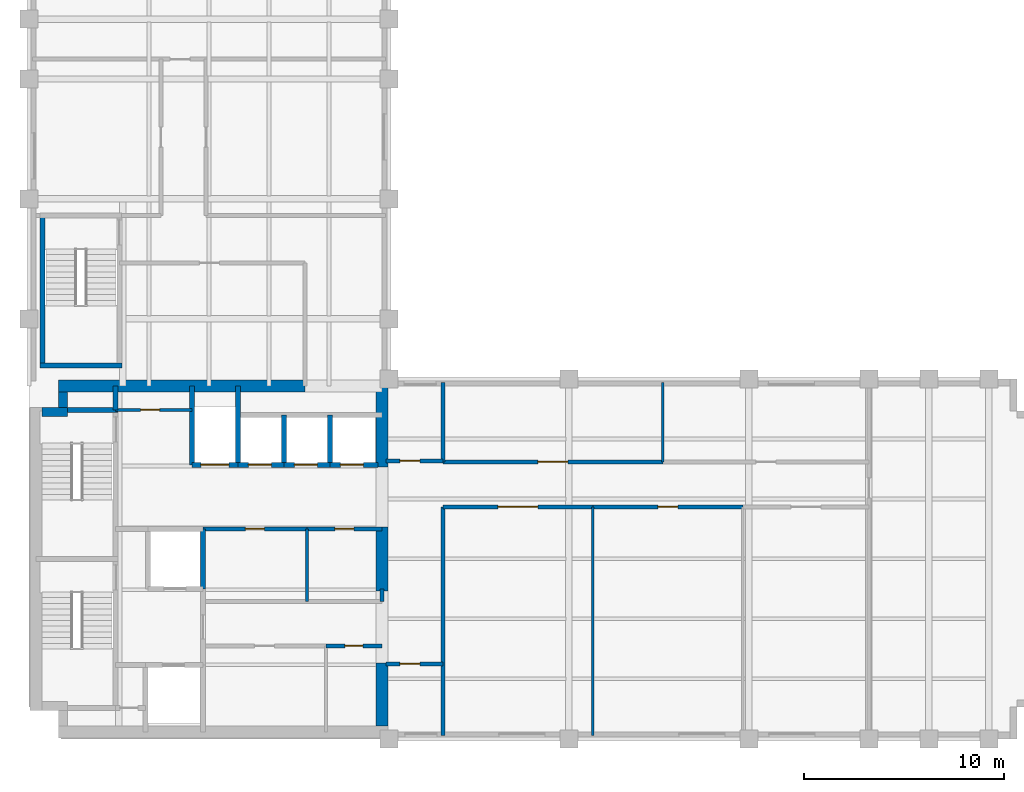
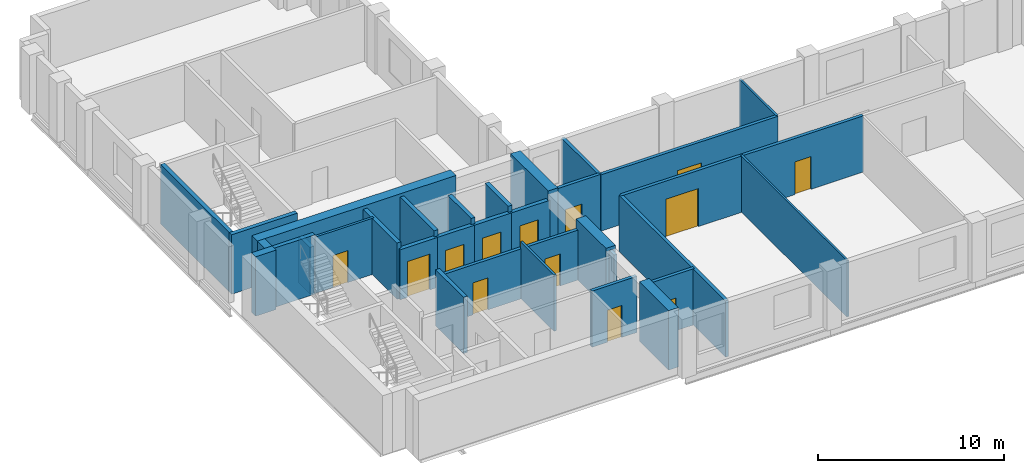
# One storey, part 3 of 6: 34 walls, 13 doors, 13 openings.
"""IFC4 building model written with IfcOpenShell, lengths in metres."""

import ifcopenshell
import ifcopenshell.guid

model = None  # the IFC model being written
_history = None  # IfcOwnerHistory: only IFC2X3 demands one
_inside = {}  # id of a spatial element -> (the spatial element, [elements in it])
_under = {}  # id of a project, library or spatial element -> (it, [spatial elements below it])
_declared = {}  # id of a project -> (the project, [libraries it declares])
_typed = {}  # id of a type object -> (the type object, [elements of that type])
_made_of = {}  # id of a material, layer set ... -> (it, [elements and type objects made of it])


def new_model(schema):
    """Start an empty IFC model of exactly this schema.

    Asked for "IFC4X3", IfcOpenShell would pick the latest addendum, in which some entities
    have other attributes; the version numbers below select the first issue.
    IFC2X3 requires an IfcOwnerHistory on every rooted entity: one is made here for all.
    """
    global model, _history
    if schema == "IFC4X3":
        model = ifcopenshell.file(schema_version=(4, 3, 0, 0))
    else:
        model = ifcopenshell.file(schema=schema)
    _inside.clear()
    _under.clear()
    _declared.clear()
    _typed.clear()
    _made_of.clear()
    _history = None
    if model.schema == "IFC2X3":
        org = make("IfcOrganization", Name="unknown")
        user = make(
            "IfcPersonAndOrganization",
            ThePerson=make("IfcPerson", FamilyName="unknown"),
            TheOrganization=org,
        )
        app = make(
            "IfcApplication",
            ApplicationDeveloper=org,
            Version="unknown",
            ApplicationFullName="unknown",
            ApplicationIdentifier="unknown",
        )
        _history = make(
            "IfcOwnerHistory",
            OwningUser=user,
            OwningApplication=app,
            ChangeAction="ADDED",
            CreationDate=0,
        )
    return model


def make(cls, **values):
    """One entity of the class cls with the attributes given. An attribute that is None is left unset."""
    return model.create_entity(
        cls, **{name: value for name, value in values.items() if value is not None}
    )


def rooted(cls, **values):
    """An entity with a GlobalId (a new one), such as an element, a storey or a relation."""
    return make(cls, GlobalId=ifcopenshell.guid.new(), OwnerHistory=_history, **values)


def si_unit(unit_type, name, prefix=None):
    """IfcSIUnit, for example si_unit("LENGTHUNIT", "METRE", prefix="MILLI")."""
    return make("IfcSIUnit", UnitType=unit_type, Prefix=prefix, Name=name)


def assignment(units):
    """IfcUnitAssignment: the units of a project."""
    return None if units is None else make("IfcUnitAssignment", Units=units)


def point(xyz):
    """IfcCartesianPoint."""
    return None if xyz is None else make("IfcCartesianPoint", Coordinates=xyz)


def direction(xyz):
    """IfcDirection."""
    return None if xyz is None else make("IfcDirection", DirectionRatios=xyz)


def frame(location, z_axis=None, x_axis=None):
    """IfcAxis2Placement3D, a coordinate frame: its origin and axes. An axis left out is left unset."""
    return make(
        "IfcAxis2Placement3D",
        Location=point(location),
        Axis=direction(z_axis),
        RefDirection=direction(x_axis),
    )


def frame_2d(location, x_axis=None):
    """IfcAxis2Placement2D, a coordinate frame in the plane: its origin and x axis."""
    return make(
        "IfcAxis2Placement2D", Location=point(location), RefDirection=direction(x_axis)
    )


def origin():
    """The frame at (0, 0, 0) with its axes left unset."""
    return frame((0.0, 0.0, 0.0))


def place(relative_to, where):
    """IfcLocalPlacement: puts the frame where relative to a parent placement (None: the world)."""
    return make(
        "IfcLocalPlacement", PlacementRelTo=relative_to, RelativePlacement=where
    )


def context(
    kind, dimensions, precision=None, world=None, true_north=None, identifier=None
):
    """IfcGeometricRepresentationContext, for example the 3D "Model" context."""
    return make(
        "IfcGeometricRepresentationContext",
        ContextIdentifier=identifier,
        ContextType=kind,
        CoordinateSpaceDimension=dimensions,
        Precision=precision,
        WorldCoordinateSystem=world,
        TrueNorth=true_north,
    )


def subcontext(parent, identifier, kind, view, scale=None):
    """IfcGeometricRepresentationSubContext, for example "Body" below "Model"."""
    return make(
        "IfcGeometricRepresentationSubContext",
        ContextIdentifier=identifier,
        ContextType=kind,
        ParentContext=parent,
        TargetScale=scale,
        TargetView=view,
    )


def project(units=None, contexts=None):
    """IfcProject with its units and contexts."""
    return rooted(
        "IfcProject",
        Name="project",
        RepresentationContexts=contexts,
        UnitsInContext=assignment(units),
    )


def spatial(cls, under=None, at=None, **own):
    """A site, building, storey or space (cls), placed at a placement, below another one or the project."""
    s = rooted(cls, ObjectPlacement=at, **own)
    if under is not None:
        _under.setdefault(under.id(), (under, []))[1].append(s)
    return s


def profile(cls, at=None, kind="AREA", **sizes):
    """A parametric profile (cls). Its sizes go by their IFC names, for example OverallWidth=200.0."""
    return make(cls, ProfileType=kind, Position=at, **sizes)


def rectangle(**sizes):
    """IfcRectangleProfileDef."""
    return profile("IfcRectangleProfileDef", **sizes)


def extrude(swept, where, along, depth):
    """IfcExtrudedAreaSolid: the profile swept, set in the frame where, extruded along a direction by depth."""
    return make(
        "IfcExtrudedAreaSolid",
        SweptArea=swept,
        Position=where,
        ExtrudedDirection=direction(along),
        Depth=depth,
    )


def shape(context_of_items, identifier, shape_type, items):
    """IfcShapeRepresentation: the items that make up one representation, for example the "Body"."""
    return make(
        "IfcShapeRepresentation",
        ContextOfItems=context_of_items,
        RepresentationIdentifier=identifier,
        RepresentationType=shape_type,
        Items=items,
    )


def material(Name=None, Category=None):
    """IfcMaterial."""
    return make("IfcMaterial", Name=Name, Category=Category)


def layer(
    of_material, thickness, ventilated=None, Name=None, Category=None, Priority=None
):
    """IfcMaterialLayer: one layer of a wall or slab, of a material (None: an air gap)."""
    return make(
        "IfcMaterialLayer",
        Material=of_material,
        LayerThickness=thickness,
        IsVentilated=ventilated,
        Name=Name,
        Category=Category,
        Priority=Priority,
    )


def layer_set(layers, Name=None):
    """IfcMaterialLayerSet."""
    return make("IfcMaterialLayerSet", MaterialLayers=layers, LayerSetName=Name)


def made_of(thing, what):
    """Note that an element or type object is made of a material, layer set ...; save() writes the relation."""
    if what is not None:
        _made_of.setdefault(what.id(), (what, []))[1].append(thing)
    return thing


def type_object(cls, material=None, **own):
    """A type object (cls), such as IfcWallType, which elements share."""
    return made_of(rooted(cls, **own), material)


def element(
    cls,
    number,
    at=None,
    inside=None,
    cuts=None,
    type_object=None,
    material=None,
    context=None,
    identifier="Body",
    shape_type=None,
    held_by="IfcProductDefinitionShape",
    body=None,
    shapes=None,
    **own,
):
    """One element of the class cls, such as IfcWall. Its Tag is "e" and its number.

    at: its placement. inside: the storey or other place that contains it. cuts: it is an
    opening in that element (IfcRelVoidsElement). A single representation is given by context,
    identifier, shape_type and body (its items); several are given by shapes. held_by: the class
    of the entity that holds the representations. save() writes the other relations.
    """
    e = rooted(cls, Tag="e%d" % number, ObjectPlacement=at, **own)
    if body is not None:
        shapes = [shape(context, identifier, shape_type, body)]
    if shapes is not None:
        e.Representation = make(held_by, Representations=shapes)
    if inside is not None:
        _inside.setdefault(inside.id(), (inside, []))[1].append(e)
    if cuts is not None:
        rooted(
            "IfcRelVoidsElement", RelatingBuildingElement=cuts, RelatedOpeningElement=e
        )
    if type_object is not None:
        _typed.setdefault(type_object.id(), (type_object, []))[1].append(e)
    return made_of(e, material)


def fill(opening, filler):
    """IfcRelFillsElement: the door or window that sits in an opening."""
    return rooted(
        "IfcRelFillsElement",
        RelatingOpeningElement=opening,
        RelatedBuildingElement=filler,
    )


def aggregate(whole, parts):
    """IfcRelAggregates: a whole, such as a stair, and the parts it consists of."""
    return rooted("IfcRelAggregates", RelatingObject=whole, RelatedObjects=parts)


def save(model, path):
    """Write the relations noted so far, then the file.

    IfcRelAggregates (storeys below a building ...), IfcRelContainedInSpatialStructure (elements
    in a storey), IfcRelDefinesByType, IfcRelAssociatesMaterial and IfcRelDeclares: one each for
    every whole, place, type object, material and project.
    """
    for whole, parts in _under.values():
        aggregate(whole, parts)
    for where, things in _inside.values():
        rooted(
            "IfcRelContainedInSpatialStructure",
            RelatedElements=things,
            RelatingStructure=where,
        )
    for kind, things in _typed.values():
        rooted("IfcRelDefinesByType", RelatedObjects=things, RelatingType=kind)
    for what, things in _made_of.values():
        rooted("IfcRelAssociatesMaterial", RelatedObjects=things, RelatingMaterial=what)
    for by, libraries in _declared.values():
        rooted("IfcRelDeclares", RelatingContext=by, RelatedDefinitions=libraries)
    model.write(path)


model = new_model("IFC4")

# Units and contexts
model_context = context("Model", 3, precision=1e-05, world=origin(), true_north=direction((0.0, 1.0)))
body_context = subcontext(model_context, "Body", "Model", "MODEL_VIEW")
ifc_project = project(units=[si_unit("LENGTHUNIT", "METRE"), si_unit("AREAUNIT", "SQUARE_METRE"), si_unit("VOLUMEUNIT", "CUBIC_METRE"), si_unit("PLANEANGLEUNIT", "RADIAN"), si_unit("MASSUNIT", "GRAM", prefix="KILO")], contexts=[model_context])

# Site, building, storey
site_placement = place(None, origin())
site = spatial("IfcSite", under=ifc_project, at=site_placement, CompositionType="ELEMENT")
building_placement = place(site_placement, origin())
building = spatial("IfcBuilding", under=site, at=building_placement, Name="Mawjdan Bourse Tower", CompositionType="ELEMENT")
storey_placement = place(building_placement, frame((0.0, 0.0, 187.800048828125)))
storey = spatial("IfcBuildingStorey", under=building, at=storey_placement, Name="L45", CompositionType="ELEMENT", Elevation=187.800048828125)

# Wall, opening, door
ifc_material_1 = material(Name="Gypsum Fireboard Assembly")
ifc_layer_1 = layer(ifc_material_1, 0.199951171875)
ifc_layer_set_1 = layer_set([ifc_layer_1], Name="Gypsum Fireboard Assembly")
wall_type_1 = type_object("IfcWallType", Name="WL-CMP-200", PredefinedType="PARTITIONING", material=ifc_layer_set_1)
wall_1_placement = place(storey_placement, frame((20.85009765625, 7.659912109375, 0.0), z_axis=(0.0, 0.0, 1.0), x_axis=(1.0, 0.0, 0.0)))
wall_1 = element("IfcWall", 1, at=wall_1_placement, inside=storey, type_object=wall_type_1, Name="L45 Telemetry Control Room North Wall", PredefinedType="PARTITIONING", context=body_context, shape_type="SweptSolid", body=[
    extrude(rectangle(XDim=2.7998046875, YDim=0.199951171875, at=frame_2d((1.39990234375, 0.0))), origin(), (0.0, 0.0, 1.0), 3.68994140625),
])
opening_1_placement = place(wall_1_placement, frame((0.949951171875, 0.0, 0.0)))
opening_1 = element("IfcOpeningElement", 2, at=opening_1_placement, cuts=wall_1, Name="Opening D-L45-14", PredefinedType="OPENING", context=body_context, shape_type="SweptSolid", body=[
    extrude(rectangle(XDim=0.89990234375, YDim=2.10009765625, at=frame_2d((0.449951171875, 1.050048828125))), frame((0.0, 0.10986328125, 0.0), z_axis=(0.0, -1.0, 0.0), x_axis=(1.0, 0.0, 0.0)), (0.0, 0.0, 1.0), 0.219970703125),
])
ifc_material_2 = material(Name="Fire-Rated Steel Access Leaf", Category="steel")
door_type_1 = type_object("IfcDoorType", Name="FD-RSR-0900", OperationType="NOTDEFINED", PredefinedType="TRAPDOOR", material=ifc_material_2)
door_1_placement = place(opening_1_placement, origin())
door_1 = element("IfcDoor", 3, at=door_1_placement, inside=storey, type_object=door_type_1, Name="L45 Telemetry Control Room Door D-L45-14", OperationType="SINGLE_SWING_LEFT", OverallHeight=2.10009765625, OverallWidth=0.89990234375, PredefinedType="TRAPDOOR", context=body_context, shape_type="SweptSolid", body=[
    extrude(rectangle(XDim=0.89990234375, YDim=2.10009765625, at=frame_2d((0.449951171875, 1.050048828125))), frame((0.0, 0.02490234375, 0.0), z_axis=(0.0, -1.0, 0.0), x_axis=(1.0, 0.0, 0.0)), (0.0, 0.0, 1.0), 0.050048828125),
])
fill(opening_1, door_1)

# Wall
wall_2_placement = place(storey_placement, frame((23.64990234375, 9.8798828125, 0.0), z_axis=(0.0, 0.0, 1.0), x_axis=(0.0, 1.0, 0.0)))
element("IfcWall", 4, at=wall_2_placement, inside=storey, type_object=wall_type_1, Name="L45 Core Restroom East Return", PredefinedType="PARTITIONING", context=body_context, shape_type="SweptSolid", body=[
    extrude(rectangle(XDim=0.6201171875, YDim=0.199951171875, at=frame_2d((0.31005859375, 0.0))), origin(), (0.0, 0.0, 1.0), 3.68994140625),
])

# Wall, opening, door
wall_3_placement = place(storey_placement, frame((14.699951171875, 13.5, 0.0), z_axis=(0.0, 0.0, 1.0), x_axis=(1.0, 0.0, 0.0)))
wall_3 = element("IfcWall", 5, at=wall_3_placement, inside=storey, type_object=wall_type_1, Name="L45 Accessible WC North Wall", PredefinedType="PARTITIONING", context=body_context, shape_type="SweptSolid", body=[
    extrude(rectangle(XDim=5.199951171875, YDim=0.199951171875, at=frame_2d((2.60009765625, 0.0))), origin(), (0.0, 0.0, 1.0), 3.282958984375),
])
opening_2_placement = place(wall_3_placement, frame((2.125, 0.0, 0.0)))
opening_2 = element("IfcOpeningElement", 6, at=opening_2_placement, cuts=wall_3, Name="Opening D-L45-15", PredefinedType="OPENING", context=body_context, shape_type="SweptSolid", body=[
    extrude(rectangle(XDim=0.949951171875, YDim=2.10009765625, at=frame_2d((0.47509765625, 1.050048828125))), frame((0.0, 0.10986328125, 0.0), z_axis=(0.0, -1.0, 0.0), x_axis=(1.0, 0.0, 0.0)), (0.0, 0.0, 1.0), 0.219970703125),
])
ifc_material_3 = material(Name="Moisture-Resistant Laminate Timber", Category="wood")
door_type_2 = type_object("IfcDoorType", Name="DR-WET-0950", OperationType="NOTDEFINED", PredefinedType="DOOR", material=ifc_material_3)
door_2_placement = place(opening_2_placement, origin())
door_2 = element("IfcDoor", 7, at=door_2_placement, inside=storey, type_object=door_type_2, Name="L45 Accessible WC Door D-L45-15", OperationType="SINGLE_SWING_RIGHT", OverallHeight=2.10009765625, OverallWidth=0.949951171875, PredefinedType="DOOR", context=body_context, shape_type="SweptSolid", body=[
    extrude(rectangle(XDim=0.949951171875, YDim=2.10009765625, at=frame_2d((0.47509765625, 1.050048828125))), frame((0.0, 0.02490234375, 0.0), z_axis=(0.0, -1.0, 0.0), x_axis=(1.0, 0.0, 0.0)), (0.0, 0.0, 1.0), 0.050048828125),
])
fill(opening_2, door_2)

wall_4_placement = place(storey_placement, frame((19.89990234375, 13.5, 0.0), z_axis=(0.0, 0.0, 1.0), x_axis=(1.0, 0.0, 0.0)))
wall_4 = element("IfcWall", 8, at=wall_4_placement, inside=storey, type_object=wall_type_1, Name="L45 Staff Wellness & Quiet Room North Wall", PredefinedType="PARTITIONING", context=body_context, shape_type="SweptSolid", body=[
    extrude(rectangle(XDim=3.75, YDim=0.199951171875, at=frame_2d((1.875, 0.0))), origin(), (0.0, 0.0, 1.0), 3.282958984375),
])
opening_3_placement = place(wall_4_placement, frame((1.39990234375, 0.0, 0.0)))
opening_3 = element("IfcOpeningElement", 9, at=opening_3_placement, cuts=wall_4, Name="Opening D-L45-16", PredefinedType="OPENING", context=body_context, shape_type="SweptSolid", body=[
    extrude(rectangle(XDim=0.949951171875, YDim=2.10009765625, at=frame_2d((0.47509765625, 1.050048828125))), frame((0.0, 0.10986328125, 0.0), z_axis=(0.0, -1.0, 0.0), x_axis=(1.0, 0.0, 0.0)), (0.0, 0.0, 1.0), 0.219970703125),
])
door_3_placement = place(opening_3_placement, origin())
door_3 = element("IfcDoor", 10, at=door_3_placement, inside=storey, type_object=door_type_2, Name="L45 Staff Wellness & Quiet Room Door D-L45-16", OperationType="SINGLE_SWING_LEFT", OverallHeight=2.10009765625, OverallWidth=0.949951171875, PredefinedType="DOOR", context=body_context, shape_type="SweptSolid", body=[
    extrude(rectangle(XDim=0.949951171875, YDim=2.10009765625, at=frame_2d((0.47509765625, 1.050048828125))), frame((0.0, 0.02490234375, 0.0), z_axis=(0.0, -1.0, 0.0), x_axis=(1.0, 0.0, 0.0)), (0.0, 0.0, 1.0), 0.050048828125),
])
fill(opening_3, door_3)

wall_5_placement = place(storey_placement, frame((23.85009765625, 6.75, 0.0), z_axis=(0.0, 0.0, 1.0), x_axis=(1.0, 0.0, 0.0)))
wall_5 = element("IfcWall", 11, at=wall_5_placement, inside=storey, type_object=wall_type_1, Name="L45 West Pocket North Wall", PredefinedType="PARTITIONING", context=body_context, shape_type="SweptSolid", body=[
    extrude(rectangle(XDim=2.849853515625, YDim=0.199951171875, at=frame_2d((1.4248046875, 0.0))), origin(), (0.0, 0.0, 1.0), 3.68994140625),
])
opening_4_placement = place(wall_5_placement, frame((0.699951171875, 0.0, 0.0)))
opening_4 = element("IfcOpeningElement", 12, at=opening_4_placement, cuts=wall_5, Name="Opening D-L45-19", PredefinedType="OPENING", context=body_context, shape_type="SweptSolid", body=[
    extrude(rectangle(XDim=1.0, YDim=2.14990234375, at=frame_2d((0.5, 1.074951171875))), frame((0.0, 0.10986328125, 0.0), z_axis=(0.0, -1.0, 0.0), x_axis=(1.0, 0.0, 0.0)), (0.0, 0.0, 1.0), 0.219970703125),
])
ifc_material_4 = material(Name="Hardwood Acoustic Leaf", Category="wood")
door_type_3 = type_object("IfcDoorType", Name="DR-OFC-1000", OperationType="NOTDEFINED", PredefinedType="DOOR", material=ifc_material_4)
door_4_placement = place(opening_4_placement, origin())
door_4 = element("IfcDoor", 13, at=door_4_placement, inside=storey, type_object=door_type_3, Name="L45 West Pocket Office Door D-L45-19", OperationType="SINGLE_SWING_RIGHT", OverallHeight=2.14990234375, OverallWidth=1.0, PredefinedType="DOOR", context=body_context, shape_type="SweptSolid", body=[
    extrude(rectangle(XDim=1.0, YDim=2.14990234375, at=frame_2d((0.5, 1.074951171875))), frame((0.0, 0.02490234375, 0.0), z_axis=(0.0, -1.0, 0.0), x_axis=(1.0, 0.0, 0.0)), (0.0, 0.0, 1.0), 0.050048828125),
])
fill(opening_4, door_4)

wall_6_placement = place(storey_placement, frame((23.85009765625, 16.89990234375, 0.0), z_axis=(0.0, 0.0, 1.0), x_axis=(1.0, 0.0, 0.0)))
wall_6 = element("IfcWall", 14, at=wall_6_placement, inside=storey, type_object=wall_type_1, Name="L45 West North Pocket Wall", PredefinedType="PARTITIONING", context=body_context, shape_type="SweptSolid", body=[
    extrude(rectangle(XDim=2.849853515625, YDim=0.199951171875, at=frame_2d((1.4248046875, 0.0))), origin(), (0.0, 0.0, 1.0), 3.68994140625),
])
opening_5_placement = place(wall_6_placement, frame((0.699951171875, 0.0, 0.0)))
opening_5 = element("IfcOpeningElement", 15, at=opening_5_placement, cuts=wall_6, Name="Opening D-L45-20", PredefinedType="OPENING", context=body_context, shape_type="SweptSolid", body=[
    extrude(rectangle(XDim=1.0, YDim=2.14990234375, at=frame_2d((0.5, 1.074951171875))), frame((0.0, 0.10986328125, 0.0), z_axis=(0.0, -1.0, 0.0), x_axis=(1.0, 0.0, 0.0)), (0.0, 0.0, 1.0), 0.219970703125),
])
door_5_placement = place(opening_5_placement, origin())
door_5 = element("IfcDoor", 16, at=door_5_placement, inside=storey, type_object=door_type_3, Name="L45 West North Pocket Door D-L45-20", OperationType="SINGLE_SWING_LEFT", OverallHeight=2.14990234375, OverallWidth=1.0, PredefinedType="DOOR", context=body_context, shape_type="SweptSolid", body=[
    extrude(rectangle(XDim=1.0, YDim=2.14990234375, at=frame_2d((0.5, 1.074951171875))), frame((0.0, 0.02490234375, 0.0), z_axis=(0.0, -1.0, 0.0), x_axis=(1.0, 0.0, 0.0)), (0.0, 0.0, 1.0), 0.050048828125),
])
fill(opening_5, door_5)

# Walls
wall_7_placement = place(storey_placement, frame((26.699951171875, 3.179931640625, 0.0), z_axis=(0.0, 0.0, 1.0), x_axis=(0.0, 1.0, 0.0)))
element("IfcWall", 17, at=wall_7_placement, inside=storey, type_object=wall_type_1, Name="L45 Vestibule South East Wall", PredefinedType="PARTITIONING", context=body_context, shape_type="SweptSolid", body=[
    extrude(rectangle(XDim=11.420166015625, YDim=0.199951171875, at=frame_2d((5.7099609375, 0.0))), origin(), (0.0, 0.0, 1.0), 3.68994140625),
])
wall_8_placement = place(storey_placement, frame((26.699951171875, 16.85009765625, 0.0), z_axis=(0.0, 0.0, 1.0), x_axis=(0.0, 1.0, 0.0)))
element("IfcWall", 18, at=wall_8_placement, inside=storey, type_object=wall_type_1, Name="L45 Vestibule North East Wall", PredefinedType="PARTITIONING", context=body_context, shape_type="SweptSolid", body=[
    extrude(rectangle(XDim=3.969970703125, YDim=0.199951171875, at=frame_2d((1.98486328125, 0.0))), origin(), (0.0, 0.0, 1.0), 3.68994140625),
])

# Wall, opening, door
wall_9_placement = place(storey_placement, frame((26.699951171875, 14.60009765625, 0.0), z_axis=(0.0, 0.0, 1.0), x_axis=(1.0, 0.0, 0.0)))
wall_9 = element("IfcWall", 19, at=wall_9_placement, inside=storey, type_object=wall_type_1, Name="L45 Asset Allocation Hall Corridor Wall", PredefinedType="PARTITIONING", context=body_context, shape_type="SweptSolid", body=[
    extrude(rectangle(XDim=7.5, YDim=0.199951171875, at=frame_2d((3.75, 0.0))), origin(), (0.0, 0.0, 1.0), 3.68994140625),
])
opening_6_placement = place(wall_9_placement, frame((2.75, 0.0, 0.0)))
opening_6 = element("IfcOpeningElement", 20, at=opening_6_placement, cuts=wall_9, Name="Opening D-L45-21", PredefinedType="OPENING", context=body_context, shape_type="SweptSolid", body=[
    extrude(rectangle(XDim=2.0, YDim=2.5, at=frame_2d((1.0, 1.25))), frame((0.0, 0.10986328125, 0.0), z_axis=(0.0, -1.0, 0.0), x_axis=(1.0, 0.0, 0.0)), (0.0, 0.0, 1.0), 0.219970703125),
])
ifc_material_5 = material(Name="Acoustic Veneered Timber", Category="wood")
door_type_4 = type_object("IfcDoorType", Name="DR-ASM-2000", OperationType="DOUBLE_DOOR_SINGLE_SWING", PredefinedType="DOOR", material=ifc_material_5)
door_6_placement = place(opening_6_placement, origin())
door_6 = element("IfcDoor", 21, at=door_6_placement, inside=storey, type_object=door_type_4, Name="L45 Asset Allocation Hall Door D-L45-21", OperationType="DOUBLE_DOOR_SINGLE_SWING", OverallHeight=2.5, OverallWidth=2.0, PredefinedType="DOOR", context=body_context, shape_type="SweptSolid", body=[
    extrude(rectangle(XDim=2.0, YDim=2.5, at=frame_2d((1.0, 1.25))), frame((0.0, 0.02490234375, 0.0), z_axis=(0.0, -1.0, 0.0), x_axis=(1.0, 0.0, 0.0)), (0.0, 0.0, 1.0), 0.050048828125),
])
fill(opening_6, door_6)

wall_10_placement = place(storey_placement, frame((34.199951171875, 14.60009765625, 0.0), z_axis=(0.0, 0.0, 1.0), x_axis=(1.0, 0.0, 0.0)))
wall_10 = element("IfcWall", 22, at=wall_10_placement, inside=storey, type_object=wall_type_1, Name="L45 Executive Office Corridor Wall", PredefinedType="PARTITIONING", context=body_context, shape_type="SweptSolid", body=[
    extrude(rectangle(XDim=7.5, YDim=0.199951171875, at=frame_2d((3.75, 0.0))), origin(), (0.0, 0.0, 1.0), 3.68994140625),
])
opening_7_placement = place(wall_10_placement, frame((3.25, 0.0, 0.0)))
opening_7 = element("IfcOpeningElement", 23, at=opening_7_placement, cuts=wall_10, Name="Opening D-L45-22", PredefinedType="OPENING", context=body_context, shape_type="SweptSolid", body=[
    extrude(rectangle(XDim=1.0, YDim=2.14990234375, at=frame_2d((0.5, 1.074951171875))), frame((0.0, 0.10986328125, 0.0), z_axis=(0.0, -1.0, 0.0), x_axis=(1.0, 0.0, 0.0)), (0.0, 0.0, 1.0), 0.219970703125),
])
door_7_placement = place(opening_7_placement, origin())
door_7 = element("IfcDoor", 24, at=door_7_placement, inside=storey, type_object=door_type_3, Name="L45 Executive Office Door D-L45-22", OperationType="SINGLE_SWING_RIGHT", OverallHeight=2.14990234375, OverallWidth=1.0, PredefinedType="DOOR", context=body_context, shape_type="SweptSolid", body=[
    extrude(rectangle(XDim=1.0, YDim=2.14990234375, at=frame_2d((0.5, 1.074951171875))), frame((0.0, 0.02490234375, 0.0), z_axis=(0.0, -1.0, 0.0), x_axis=(1.0, 0.0, 0.0)), (0.0, 0.0, 1.0), 0.050048828125),
])
fill(opening_7, door_7)

wall_11_placement = place(storey_placement, frame((26.699951171875, 16.85009765625, 0.0), z_axis=(0.0, 0.0, 1.0), x_axis=(1.0, 0.0, 0.0)))
wall_11 = element("IfcWall", 25, at=wall_11_placement, inside=storey, type_object=wall_type_1, Name="L45 Conference Room Corridor Wall", PredefinedType="PARTITIONING", context=body_context, shape_type="SweptSolid", body=[
    extrude(rectangle(XDim=11.0, YDim=0.199951171875, at=frame_2d((5.5, 0.0))), origin(), (0.0, 0.0, 1.0), 3.68994140625),
])
opening_8_placement = place(wall_11_placement, frame((4.75, 0.0, 0.0)))
opening_8 = element("IfcOpeningElement", 26, at=opening_8_placement, cuts=wall_11, Name="Opening D-L45-24", PredefinedType="OPENING", context=body_context, shape_type="SweptSolid", body=[
    extrude(rectangle(XDim=1.5, YDim=2.300048828125, at=frame_2d((0.75, 1.14990234375))), frame((0.0, 0.10986328125, 0.0), z_axis=(0.0, -1.0, 0.0), x_axis=(1.0, 0.0, 0.0)), (0.0, 0.0, 1.0), 0.219970703125),
])
ifc_material_6 = material(Name="Acoustic Glazed Timber", Category="wood")
door_type_5 = type_object("IfcDoorType", Name="DR-CNF-1500", OperationType="DOUBLE_DOOR_SINGLE_SWING", PredefinedType="DOOR", material=ifc_material_6)
door_8_placement = place(opening_8_placement, origin())
door_8 = element("IfcDoor", 27, at=door_8_placement, inside=storey, type_object=door_type_5, Name="L45 Conference Room Door D-L45-24", OperationType="DOUBLE_DOOR_SINGLE_SWING", OverallHeight=2.300048828125, OverallWidth=1.5, PredefinedType="DOOR", context=body_context, shape_type="SweptSolid", body=[
    extrude(rectangle(XDim=1.5, YDim=2.300048828125, at=frame_2d((0.75, 1.14990234375))), frame((0.0, 0.02490234375, 0.0), z_axis=(0.0, -1.0, 0.0), x_axis=(1.0, 0.0, 0.0)), (0.0, 0.0, 1.0), 0.050048828125),
])
fill(opening_8, door_8)

# Walls
ifc_material_7 = material(Name="Concrete C60/75", Category="concrete")
ifc_layer_2 = layer(ifc_material_7, 0.449951171875)
ifc_layer_set_2 = layer_set([ifc_layer_2], Name="Concrete C60/75")
wall_type_2 = type_object("IfcWallType", Name="WL-CORE-450", PredefinedType="SHEAR", material=ifc_layer_set_2)
wall_12_placement = place(storey_placement, frame((6.64990234375, 19.35009765625, 0.0), z_axis=(0.0, 0.0, 1.0), x_axis=(1.0, 0.0, 0.0)))
element("IfcWall", 28, at=wall_12_placement, inside=storey, type_object=wall_type_2, Name="L45 Rear Core Shear Wall NW-X", PredefinedType="SHEAR", context=body_context, shape_type="SweptSolid", body=[
    extrude(rectangle(XDim=1.275146484375, YDim=0.449951171875, at=frame_2d((0.6376953125, 0.0))), origin(), (0.0, 0.0, 1.0), 3.89990234375),
])
wall_13_placement = place(storey_placement, frame((7.699951171875, 19.574951171875, 0.0), z_axis=(0.0, 0.0, 1.0), x_axis=(0.0, 1.0, 0.0)))
element("IfcWall", 29, at=wall_13_placement, inside=storey, type_object=wall_type_2, Name="L45 Rear Core Shear Wall NW-Y", PredefinedType="SHEAR", context=body_context, shape_type="SweptSolid", body=[
    extrude(rectangle(XDim=0.775146484375, YDim=0.449951171875, at=frame_2d((0.3876953125, 0.0))), origin(), (0.0, 0.0, 1.0), 3.89990234375),
])
ifc_material_8 = material(Name="Concrete C70/85", Category="concrete")
ifc_layer_3 = layer(ifc_material_8, 0.60009765625)
ifc_layer_set_3 = layer_set([ifc_layer_3], Name="Concrete C70/85")
wall_type_3 = type_object("IfcWallType", Name="WL-CORE-600", PredefinedType="SHEAR", material=ifc_layer_set_3)
wall_14_placement = place(storey_placement, frame((7.47509765625, 20.64990234375, 0.0), z_axis=(0.0, 0.0, 1.0), x_axis=(1.0, 0.0, 0.0)))
element("IfcWall", 30, at=wall_14_placement, inside=storey, type_object=wall_type_3, Name="L45 Rear Core Shear Wall N", PredefinedType="SHEAR", context=body_context, shape_type="SweptSolid", body=[
    extrude(rectangle(XDim=12.324951171875, YDim=0.60009765625, at=frame_2d((6.16259765625, 0.0))), origin(), (0.0, 0.0, 1.0), 3.89990234375),
])
wall_15_placement = place(storey_placement, frame((23.64990234375, 3.64990234375, 0.0), z_axis=(0.0, 0.0, 1.0), x_axis=(0.0, 1.0, 0.0)))
element("IfcWall", 31, at=wall_15_placement, inside=storey, type_object=wall_type_3, Name="L45 Rear Core Shear Wall E1", PredefinedType="SHEAR", context=body_context, shape_type="SweptSolid", body=[
    extrude(rectangle(XDim=3.150146484375, YDim=0.60009765625, at=frame_2d((1.5751953125, 0.0))), origin(), (0.0, 0.0, 1.0), 3.89990234375),
])
wall_16_placement = place(storey_placement, frame((23.64990234375, 10.39990234375, 0.0), z_axis=(0.0, 0.0, 1.0), x_axis=(0.0, 1.0, 0.0)))
element("IfcWall", 32, at=wall_16_placement, inside=storey, type_object=wall_type_3, Name="L45 Rear Core Shear Wall E2", PredefinedType="SHEAR", context=body_context, shape_type="SweptSolid", body=[
    extrude(rectangle(XDim=3.2001953125, YDim=0.60009765625, at=frame_2d((1.60009765625, 0.0))), origin(), (0.0, 0.0, 1.0), 3.89990234375),
])
wall_17_placement = place(storey_placement, frame((23.64990234375, 16.60009765625, 0.0), z_axis=(0.0, 0.0, 1.0), x_axis=(0.0, 1.0, 0.0)))
element("IfcWall", 33, at=wall_17_placement, inside=storey, type_object=wall_type_3, Name="L45 Rear Core Shear Wall E3", PredefinedType="SHEAR", context=body_context, shape_type="SweptSolid", body=[
    extrude(rectangle(XDim=4.0498046875, YDim=0.60009765625, at=frame_2d((2.02490234375, 0.0))), origin(), (0.0, 0.0, 1.0), 3.89990234375),
])
ifc_material_9 = material(Name="Gypsum Partition")
ifc_layer_4 = layer(ifc_material_9, 0.125)
ifc_layer_set_4 = layer_set([ifc_layer_4], Name="Gypsum Partition")
wall_type_4 = type_object("IfcWallType", Name="WL-PRT-125", PredefinedType="PARTITIONING", material=ifc_layer_set_4)
wall_18_placement = place(storey_placement, frame((34.199951171875, 3.179931640625, 0.0), z_axis=(0.0, 0.0, 1.0), x_axis=(0.0, 1.0, 0.0)))
element("IfcWall", 34, at=wall_18_placement, inside=storey, type_object=wall_type_4, Name="L45 Executive Office Partition", PredefinedType="PARTITIONING", context=body_context, shape_type="SweptSolid", body=[
    extrude(rectangle(XDim=11.420166015625, YDim=0.125, at=frame_2d((5.7099609375, 0.0))), origin(), (0.0, 0.0, 1.0), 3.68994140625),
])
wall_19_placement = place(storey_placement, frame((37.699951171875, 16.85009765625, 0.0), z_axis=(0.0, 0.0, 1.0), x_axis=(0.0, 1.0, 0.0)))
element("IfcWall", 35, at=wall_19_placement, inside=storey, type_object=wall_type_4, Name="L45 Legal Counsel Library Partition", PredefinedType="PARTITIONING", context=body_context, shape_type="SweptSolid", body=[
    extrude(rectangle(XDim=3.969970703125, YDim=0.125, at=frame_2d((1.98486328125, 0.0))), origin(), (0.0, 0.0, 1.0), 3.68994140625),
])
ifc_material_10 = material(Name="Gypsum Acoustic Partition")
ifc_layer_5 = layer(ifc_material_10, 0.14990234375)
ifc_layer_set_5 = layer_set([ifc_layer_5], Name="Gypsum Acoustic Partition")
wall_type_5 = type_object("IfcWallType", Name="WL-PRT-150", PredefinedType="PARTITIONING", material=ifc_layer_set_5)
wall_20_placement = place(storey_placement, frame((19.89990234375, 9.8798828125, 0.0), z_axis=(0.0, 0.0, 1.0), x_axis=(0.0, 1.0, 0.0)))
element("IfcWall", 36, at=wall_20_placement, inside=storey, type_object=wall_type_5, Name="L45 Staff Wellness & Quiet Room Split Wall", PredefinedType="PARTITIONING", context=body_context, shape_type="SweptSolid", body=[
    extrude(rectangle(XDim=3.6201171875, YDim=0.14990234375, at=frame_2d((1.81005859375, 0.0))), origin(), (0.0, 0.0, 1.0), 3.68994140625),
])

# Wall, opening, door
wall_21_placement = place(storey_placement, frame((10.330078125, 19.449951171875, 0.0), z_axis=(0.0, 0.0, 1.0), x_axis=(1.0, 0.0, 0.0)))
wall_21 = element("IfcWall", 37, at=wall_21_placement, inside=storey, type_object=wall_type_5, Name="L45 Housekeeping South Wall", PredefinedType="PARTITIONING", context=body_context, shape_type="SweptSolid", body=[
    extrude(rectangle(XDim=3.81982421875, YDim=0.14990234375, at=frame_2d((1.909912109375, 0.0))), origin(), (0.0, 0.0, 1.0), 3.68994140625),
])
opening_9_placement = place(wall_21_placement, frame((1.25, 0.0, 0.0)))
opening_9 = element("IfcOpeningElement", 38, at=opening_9_placement, cuts=wall_21, Name="Opening D-L45-17", PredefinedType="OPENING", context=body_context, shape_type="SweptSolid", body=[
    extrude(rectangle(XDim=0.949951171875, YDim=2.10009765625, at=frame_2d((0.47509765625, 1.050048828125))), frame((0.0, 0.0849609375, 0.0), z_axis=(0.0, -1.0, 0.0), x_axis=(1.0, 0.0, 0.0)), (0.0, 0.0, 1.0), 0.169921875),
])
door_9_placement = place(opening_9_placement, origin())
door_9 = element("IfcDoor", 39, at=door_9_placement, inside=storey, type_object=door_type_2, Name="L45 Housekeeping Closet Door D-L45-17", OperationType="SINGLE_SWING_RIGHT", OverallHeight=2.10009765625, OverallWidth=0.949951171875, PredefinedType="DOOR", context=body_context, shape_type="SweptSolid", body=[
    extrude(rectangle(XDim=0.949951171875, YDim=2.10009765625, at=frame_2d((0.47509765625, 1.050048828125))), frame((0.0, 0.02490234375, 0.0), z_axis=(0.0, -1.0, 0.0), x_axis=(1.0, 0.0, 0.0)), (0.0, 0.0, 1.0), 0.050048828125),
])
fill(opening_9, door_9)

# Walls
ifc_material_11 = material(Name="Concrete C50/60", Category="concrete")
ifc_layer_6 = layer(ifc_material_11, 0.25)
ifc_layer_set_6 = layer_set([ifc_layer_6], Name="Concrete C50/60")
wall_type_6 = type_object("IfcWallType", Name="WL-SHFT-250", PredefinedType="PARTITIONING", material=ifc_layer_set_6)
wall_22_placement = place(storey_placement, frame((10.330078125, 19.449951171875, 0.0), z_axis=(0.0, 0.0, 1.0), x_axis=(0.0, 1.0, 0.0)))
element("IfcWall", 40, at=wall_22_placement, inside=storey, type_object=wall_type_6, Name="L45 NW Riser East Wall", PredefinedType="PARTITIONING", context=body_context, shape_type="SweptSolid", body=[
    extrude(rectangle(XDim=1.199951171875, YDim=0.25, at=frame_2d((0.60009765625, 0.0))), origin(), (0.0, 0.0, 1.0), 3.072998046875),
])
wall_23_placement = place(storey_placement, frame((14.699951171875, 10.5, 0.0), z_axis=(0.0, 0.0, 1.0), x_axis=(0.0, 1.0, 0.0)))
element("IfcWall", 41, at=wall_23_placement, inside=storey, type_object=wall_type_6, Name="L45 FFL-02 East Shaft Wall", PredefinedType="PARTITIONING", context=body_context, shape_type="SweptSolid", body=[
    extrude(rectangle(XDim=3.0, YDim=0.25, at=frame_2d((1.5, 0.0))), origin(), (0.0, 0.0, 1.0), 3.68994140625),
])

# Wall, opening, door
wall_24_placement = place(storey_placement, frame((14.14990234375, 16.699951171875, 0.0), z_axis=(0.0, 0.0, 1.0), x_axis=(1.0, 0.0, 0.0)))
wall_24 = element("IfcWall", 42, at=wall_24_placement, inside=storey, type_object=wall_type_6, Name="L45 SVL-01 Front Shaft Wall", PredefinedType="PARTITIONING", context=body_context, shape_type="SweptSolid", body=[
    extrude(rectangle(XDim=2.300048828125, YDim=0.25, at=frame_2d((1.14990234375, 0.0))), origin(), (0.0, 0.0, 1.0), 3.282958984375),
])
opening_10_placement = place(wall_24_placement, frame((0.449951171875, 0.0, 0.0)))
opening_10 = element("IfcOpeningElement", 43, at=opening_10_placement, cuts=wall_24, Name="Opening LD-L45-09", PredefinedType="OPENING", context=body_context, shape_type="SweptSolid", body=[
    extrude(rectangle(XDim=1.39990234375, YDim=2.35009765625, at=frame_2d((0.699951171875, 1.175048828125))), frame((0.0, 0.135009765625, 0.0), z_axis=(0.0, -1.0, 0.0), x_axis=(1.0, 0.0, 0.0)), (0.0, 0.0, 1.0), 0.27001953125),
])
ifc_material_12 = material(Name="Heavy-Duty Stainless Steel", Category="steel")
door_type_6 = type_object("IfcDoorType", Name="LD-SRV-1400", OperationType="DOUBLE_DOOR_SLIDING", PredefinedType="DOOR", material=ifc_material_12)
door_10_placement = place(opening_10_placement, origin())
door_10 = element("IfcDoor", 44, at=door_10_placement, inside=storey, type_object=door_type_6, Name="L45 Service Lift SVL-01 Landing Door LD-L45-09", OperationType="DOUBLE_DOOR_SLIDING", OverallHeight=2.35009765625, OverallWidth=1.39990234375, PredefinedType="DOOR", context=body_context, shape_type="SweptSolid", body=[
    extrude(rectangle(XDim=1.39990234375, YDim=2.35009765625, at=frame_2d((0.699951171875, 1.175048828125))), frame((0.0, 0.02490234375, 0.0), z_axis=(0.0, -1.0, 0.0), x_axis=(1.0, 0.0, 0.0)), (0.0, 0.0, 1.0), 0.050048828125),
])
fill(opening_10, door_10)

# Walls
for number, where, z_axis, x_axis, name in (
    (45, (14.14990234375, 16.699951171875, 0.0), (0.0, 0.0, 1.0), (0.0, 1.0, 0.0), "L45 SVL-01 West Shaft Wall"),
    (46, (16.449951171875, 16.699951171875, 0.0), (0.0, 0.0, 1.0), (0.0, 1.0, 0.0), "L45 SVL-01 East Shaft Wall"),
):
    element("IfcWall", number, at=place(storey_placement, frame(where, z_axis=z_axis, x_axis=x_axis)), inside=storey, type_object=wall_type_6, Name=name, PredefinedType="PARTITIONING", context=body_context, shape_type="SweptSolid", body=[
        extrude(rectangle(XDim=3.949951171875, YDim=0.25, at=frame_2d((1.97509765625, 0.0))), origin(), (0.0, 0.0, 1.0), 3.68994140625),
    ])

# Wall, opening, door
wall_25_placement = place(storey_placement, frame((16.449951171875, 16.699951171875, 0.0), z_axis=(0.0, 0.0, 1.0), x_axis=(1.0, 0.0, 0.0)))
wall_25 = element("IfcWall", 47, at=wall_25_placement, inside=storey, type_object=wall_type_6, Name="L45 PH-01 Front Wall", PredefinedType="PARTITIONING", context=body_context, shape_type="SweptSolid", body=[
    extrude(rectangle(XDim=2.300048828125, YDim=0.25, at=frame_2d((1.14990234375, 0.0))), origin(), (0.0, 0.0, 1.0), 3.282958984375),
])
opening_11_placement = place(wall_25_placement, frame((0.52001953125, 0.0, 0.0)))
opening_11 = element("IfcOpeningElement", 48, at=opening_11_placement, cuts=wall_25, Name="Opening LD-L45-10", PredefinedType="OPENING", context=body_context, shape_type="SweptSolid", body=[
    extrude(rectangle(XDim=1.14990234375, YDim=2.25, at=frame_2d((0.574951171875, 1.125))), frame((0.0, 0.135009765625, 0.0), z_axis=(0.0, -1.0, 0.0), x_axis=(1.0, 0.0, 0.0)), (0.0, 0.0, 1.0), 0.27001953125),
])
ifc_material_13 = material(Name="Brushed Stainless Steel", Category="steel")
door_type_7 = type_object("IfcDoorType", Name="LD-PAS-1150", OperationType="DOUBLE_DOOR_SLIDING", PredefinedType="DOOR", material=ifc_material_13)
door_11_placement = place(opening_11_placement, origin())
door_11 = element("IfcDoor", 49, at=door_11_placement, inside=storey, type_object=door_type_7, Name="L45 Lift PH-01 Landing Door LD-L45-10", OperationType="DOUBLE_DOOR_SLIDING", OverallHeight=2.25, OverallWidth=1.14990234375, PredefinedType="DOOR", context=body_context, shape_type="SweptSolid", body=[
    extrude(rectangle(XDim=1.14990234375, YDim=2.25, at=frame_2d((0.574951171875, 1.125))), frame((0.0, 0.02490234375, 0.0), z_axis=(0.0, -1.0, 0.0), x_axis=(1.0, 0.0, 0.0)), (0.0, 0.0, 1.0), 0.050048828125),
])
fill(opening_11, door_11)

# Wall
wall_26_placement = place(storey_placement, frame((18.75, 16.699951171875, 0.0), z_axis=(0.0, 0.0, 1.0), x_axis=(0.0, 1.0, 0.0)))
element("IfcWall", 50, at=wall_26_placement, inside=storey, type_object=wall_type_6, Name="L45 PH-01 Divider Wall", PredefinedType="PARTITIONING", context=body_context, shape_type="SweptSolid", body=[
    extrude(rectangle(XDim=2.5, YDim=0.25, at=frame_2d((1.25, 0.0))), origin(), (0.0, 0.0, 1.0), 3.68994140625),
])

# Wall, opening, door
wall_27_placement = place(storey_placement, frame((18.75, 16.699951171875, 0.0), z_axis=(0.0, 0.0, 1.0), x_axis=(1.0, 0.0, 0.0)))
wall_27 = element("IfcWall", 51, at=wall_27_placement, inside=storey, type_object=wall_type_6, Name="L45 PH-02 Front Wall", PredefinedType="PARTITIONING", context=body_context, shape_type="SweptSolid", body=[
    extrude(rectangle(XDim=2.300048828125, YDim=0.25, at=frame_2d((1.14990234375, 0.0))), origin(), (0.0, 0.0, 1.0), 3.282958984375),
])
opening_12_placement = place(wall_27_placement, frame((0.52001953125, 0.0, 0.0)))
opening_12 = element("IfcOpeningElement", 52, at=opening_12_placement, cuts=wall_27, Name="Opening LD-L45-11", PredefinedType="OPENING", context=body_context, shape_type="SweptSolid", body=[
    extrude(rectangle(XDim=1.14990234375, YDim=2.25, at=frame_2d((0.574951171875, 1.125))), frame((0.0, 0.135009765625, 0.0), z_axis=(0.0, -1.0, 0.0), x_axis=(1.0, 0.0, 0.0)), (0.0, 0.0, 1.0), 0.27001953125),
])
door_12_placement = place(opening_12_placement, origin())
door_12 = element("IfcDoor", 53, at=door_12_placement, inside=storey, type_object=door_type_7, Name="L45 Lift PH-02 Landing Door LD-L45-11", OperationType="DOUBLE_DOOR_SLIDING", OverallHeight=2.25, OverallWidth=1.14990234375, PredefinedType="DOOR", context=body_context, shape_type="SweptSolid", body=[
    extrude(rectangle(XDim=1.14990234375, YDim=2.25, at=frame_2d((0.574951171875, 1.125))), frame((0.0, 0.02490234375, 0.0), z_axis=(0.0, -1.0, 0.0), x_axis=(1.0, 0.0, 0.0)), (0.0, 0.0, 1.0), 0.050048828125),
])
fill(opening_12, door_12)

# Wall
wall_28_placement = place(storey_placement, frame((21.050048828125, 16.699951171875, 0.0), z_axis=(0.0, 0.0, 1.0), x_axis=(0.0, 1.0, 0.0)))
element("IfcWall", 54, at=wall_28_placement, inside=storey, type_object=wall_type_6, Name="L45 PH-02 Divider Wall", PredefinedType="PARTITIONING", context=body_context, shape_type="SweptSolid", body=[
    extrude(rectangle(XDim=2.5, YDim=0.25, at=frame_2d((1.25, 0.0))), origin(), (0.0, 0.0, 1.0), 3.68994140625),
])

# Wall, opening, door
wall_29_placement = place(storey_placement, frame((21.050048828125, 16.699951171875, 0.0), z_axis=(0.0, 0.0, 1.0), x_axis=(1.0, 0.0, 0.0)))
wall_29 = element("IfcWall", 55, at=wall_29_placement, inside=storey, type_object=wall_type_6, Name="L45 PH-03 Front Wall", PredefinedType="PARTITIONING", context=body_context, shape_type="SweptSolid", body=[
    extrude(rectangle(XDim=2.39990234375, YDim=0.25, at=frame_2d((1.199951171875, 0.0))), origin(), (0.0, 0.0, 1.0), 3.282958984375),
])
opening_13_placement = place(wall_29_placement, frame((0.52001953125, 0.0, 0.0)))
opening_13 = element("IfcOpeningElement", 56, at=opening_13_placement, cuts=wall_29, Name="Opening LD-L45-12", PredefinedType="OPENING", context=body_context, shape_type="SweptSolid", body=[
    extrude(rectangle(XDim=1.14990234375, YDim=2.25, at=frame_2d((0.574951171875, 1.125))), frame((0.0, 0.135009765625, 0.0), z_axis=(0.0, -1.0, 0.0), x_axis=(1.0, 0.0, 0.0)), (0.0, 0.0, 1.0), 0.27001953125),
])
door_13_placement = place(opening_13_placement, origin())
door_13 = element("IfcDoor", 57, at=door_13_placement, inside=storey, type_object=door_type_7, Name="L45 Lift PH-03 Landing Door LD-L45-12", OperationType="DOUBLE_DOOR_SLIDING", OverallHeight=2.25, OverallWidth=1.14990234375, PredefinedType="DOOR", context=body_context, shape_type="SweptSolid", body=[
    extrude(rectangle(XDim=1.14990234375, YDim=2.25, at=frame_2d((0.574951171875, 1.125))), frame((0.0, 0.02490234375, 0.0), z_axis=(0.0, -1.0, 0.0), x_axis=(1.0, 0.0, 0.0)), (0.0, 0.0, 1.0), 0.050048828125),
])
fill(opening_13, door_13)

# Walls
ifc_layer_7 = layer(ifc_material_11, 0.25)
ifc_layer_set_7 = layer_set([ifc_layer_7], Name="Concrete C50/60")
wall_type_7 = type_object("IfcWallType", Name="WL-STRW-250", PredefinedType="SHEAR", material=ifc_layer_set_7)
wall_30_placement = place(storey_placement, frame((7.699951171875, 19.449951171875, 0.0), z_axis=(0.0, 0.0, 1.0), x_axis=(1.0, 0.0, 0.0)))
element("IfcWall", 58, at=wall_30_placement, inside=storey, type_object=wall_type_7, Name="L45 Stairwell ST2 North Shaft Wall", PredefinedType="SHEAR", context=body_context, shape_type="SweptSolid", body=[
    extrude(rectangle(XDim=2.755126953125, YDim=0.25, at=frame_2d((1.37744140625, 0.0))), origin(), (0.0, 0.0, 1.0), 3.89990234375),
])
wall_31_placement = place(storey_placement, frame((6.554931640625, 21.679931640625, 0.0), z_axis=(0.0, 0.0, 1.0), x_axis=(1.0, 0.0, 0.0)))
element("IfcWall", 59, at=wall_31_placement, inside=storey, type_object=wall_type_7, Name="L45 ST3 South Shaft Wall", PredefinedType="SHEAR", context=body_context, shape_type="SweptSolid", body=[
    extrude(rectangle(XDim=4.090087890625, YDim=0.25, at=frame_2d((2.044921875, 0.0))), origin(), (0.0, 0.0, 1.0), 3.89990234375),
])
wall_32_placement = place(storey_placement, frame((6.679931640625, 21.679931640625, 0.0), z_axis=(0.0, 0.0, 1.0), x_axis=(0.0, 1.0, 0.0)))
element("IfcWall", 60, at=wall_32_placement, inside=storey, type_object=wall_type_7, Name="L45 ST3 West Shaft Wall", PredefinedType="SHEAR", context=body_context, shape_type="SweptSolid", body=[
    extrude(rectangle(XDim=7.5, YDim=0.25, at=frame_2d((3.75, 0.0))), origin(), (0.0, 0.0, 1.0), 3.89990234375),
])

save(model, "model.ifc")
